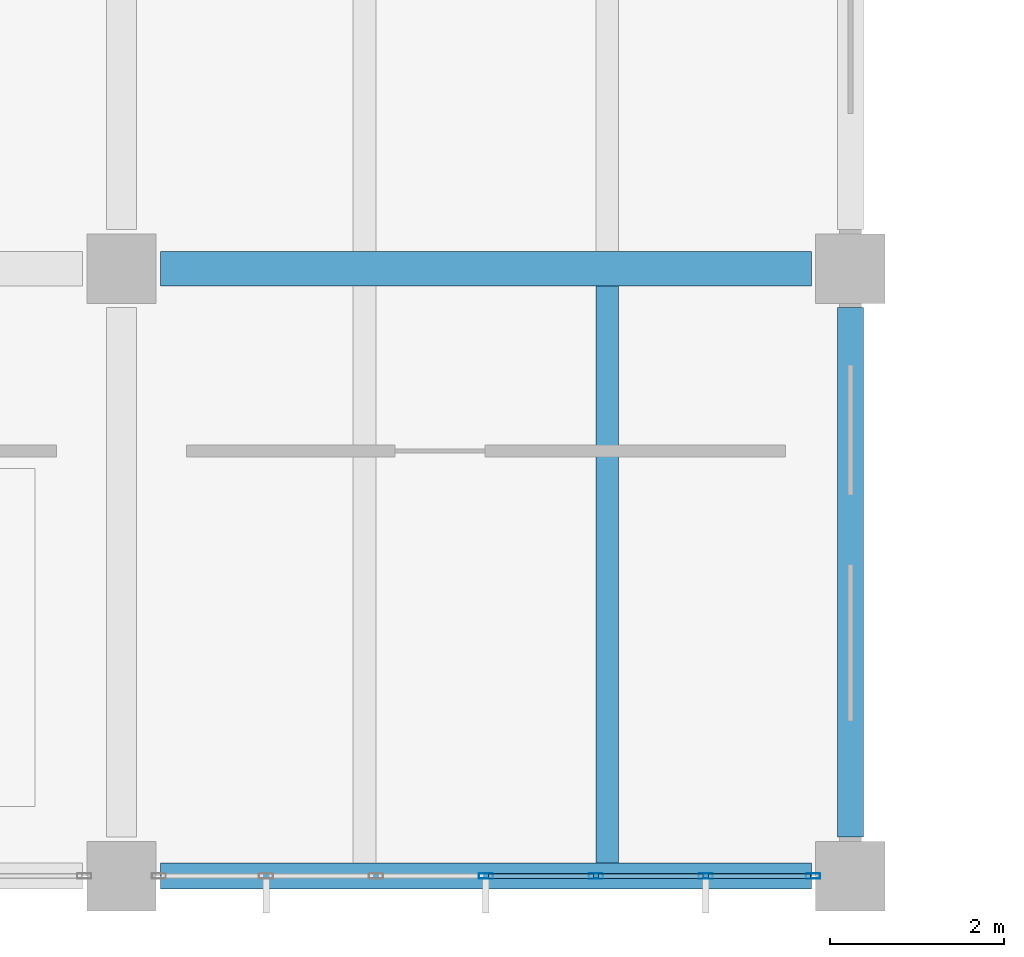
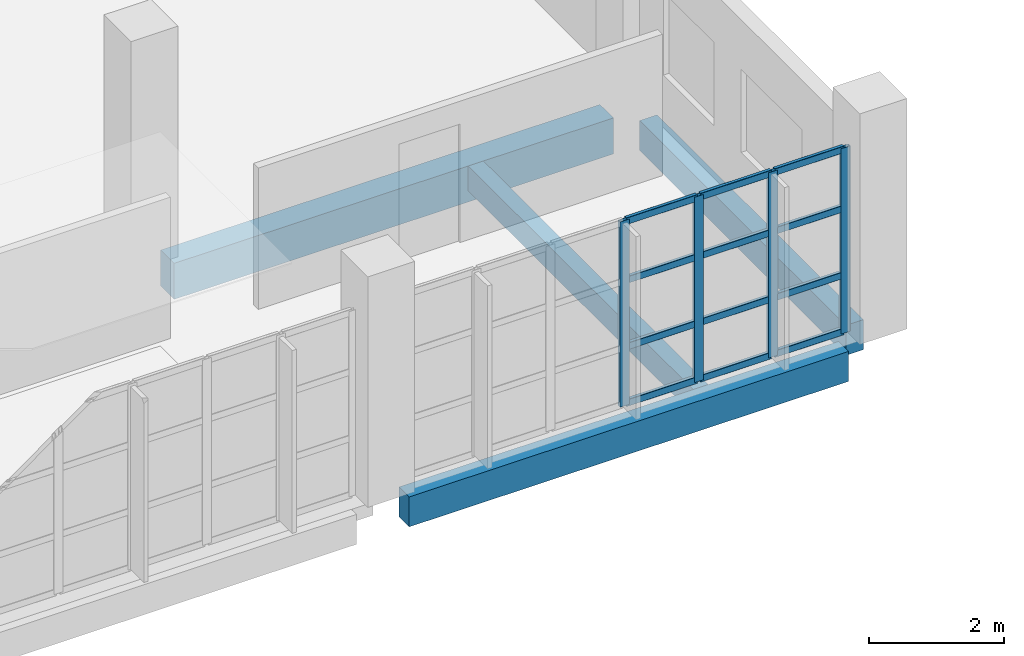
# One storey, part 43 of 177: 16 members, 4 beams, 1 element without a shape of its own.
"""IFC4 building model written with IfcOpenShell, lengths in metres."""

from ifc_helpers import new_model, si_unit, direction, frame, origin, origin_2d, place, context, subcontext, project, spatial, rectangle, hollow_rectangle, extrude, material, layer, layer_set, material_profile, profile_set, type_object, element, aggregate, save


model = new_model("IFC4")

# Units and contexts
model_context = context("Model", 3, precision=1e-05, world=origin(), true_north=direction((0.0, 1.0)))
body_context = subcontext(model_context, "Body", "Model", "MODEL_VIEW")
ifc_project = project(units=[si_unit("LENGTHUNIT", "METRE"), si_unit("AREAUNIT", "SQUARE_METRE"), si_unit("VOLUMEUNIT", "CUBIC_METRE"), si_unit("PLANEANGLEUNIT", "RADIAN"), si_unit("MASSUNIT", "GRAM", prefix="KILO"), si_unit("THERMODYNAMICTEMPERATUREUNIT", "KELVIN"), si_unit("POWERUNIT", "WATT")], contexts=[model_context])

# Site, building, storey
site_placement = place(None, origin())
site = spatial("IfcSite", under=ifc_project, at=site_placement, CompositionType="ELEMENT")
building_placement = place(site_placement, origin())
building = spatial("IfcBuilding", under=site, at=building_placement, Name="Mavoryth Pier Ferry Terminal", CompositionType="ELEMENT")
storey_placement = place(building_placement, frame((0.0, 0.0, 5.43994140625)))
storey = spatial("IfcBuildingStorey", under=building, at=storey_placement, Name="L01", CompositionType="ELEMENT", Elevation=5.43994140625)

# Beams
ifc_material_1 = material(Name="Concrete C35/45", Category="concrete")
ifc_material_profile_1 = material_profile(ifc_material_1, rectangle(XDim=0.39990234375, YDim=0.64990234375, at=origin_2d()), Name="RC 400x650", Category="concrete")
ifc_profile_set_1 = profile_set([ifc_material_profile_1], Name="Concrete C35/45 - RC 400x650")
beam_type_1 = type_object("IfcBeamType", Name="Girder-RC-400x650", PredefinedType="BEAM", material=ifc_profile_set_1)
beam_1_placement = place(storey_placement, frame((84.449951171875, 7.0, -0.5849609375), z_axis=(1.0, 0.0, 0.0), x_axis=(0.0, 1.0, 0.0)))
element("IfcBeam", 1, at=beam_1_placement, inside=storey, type_object=beam_type_1, Name="Beam B01-BG05-0521", PredefinedType="BEAM", context=body_context, shape_type="SweptSolid", body=[
    extrude(rectangle(XDim=0.39990234375, YDim=0.64990234375, at=origin_2d()), origin(), (0.0, 0.0, 1.0), 7.5),
])
ifc_material_profile_2 = material_profile(ifc_material_1, rectangle(XDim=0.260009765625, YDim=0.449951171875, at=origin_2d()), Name="RC 260x450", Category="concrete")
ifc_profile_set_2 = profile_set([ifc_material_profile_2], Name="Concrete C35/45 - RC 260x450")
beam_type_2 = type_object("IfcBeamType", Name="Joist-RC-260x450", PredefinedType="JOIST", material=ifc_profile_set_2)
beam_2_placement = place(storey_placement, frame((89.60009765625, 0.14990234375, -0.48486328125), z_axis=(0.0, 1.0, 0.0), x_axis=(-1.0, 0.0, 0.0)))
element("IfcBeam", 2, at=beam_2_placement, inside=storey, type_object=beam_type_2, Name="Beam B01-BJ03-0582", PredefinedType="JOIST", context=body_context, shape_type="SweptSolid", body=[
    extrude(rectangle(XDim=0.260009765625, YDim=0.449951171875, at=origin_2d()), origin(), (0.0, 0.0, 1.0), 6.650146484375),
])

# Curtain wall, members
ifc_material_2 = material(Name="Anodised Aluminium and Solar-Control Low-E Glass", Category="aluminium")
ifc_layer = layer(ifc_material_2, 0.239990234375, Name="Anodised Aluminium and Solar-Control Low-E Glass", Category="aluminium")
ifc_layer_set = layer_set([ifc_layer], Name="Anodised Aluminium and Solar-Control Low-E Glass - CW-Operations-Mod1200")
curtain_wall_type = type_object("IfcCurtainWallType", Name="CW-Operations-Mod1200", PredefinedType="USERDEFINED", material=ifc_layer_set)
curtain_wall_placement = place(storey_placement, origin())
curtain_wall = element("IfcCurtainWall", 3, at=curtain_wall_placement, inside=storey, type_object=curtain_wall_type, Name="Curtain Wall CW-0122-118", ObjectType="UNITISED CURTAIN WALL", PredefinedType="USERDEFINED")
ifc_material_3 = material(Name="Anodised Aluminium EN AW-6063", Category="aluminium")
ifc_material_profile_3 = material_profile(ifc_material_3, hollow_rectangle(XDim=0.06005859375, YDim=0.1650390625, WallThickness=0.00390625, InnerFilletRadius=0.00390625, OuterFilletRadius=0.008056640625, at=origin_2d()), Name="AL-MULL 165x60x4", Category="aluminium")
ifc_profile_set_3 = profile_set([ifc_material_profile_3], Name="Anodised Aluminium EN AW-6063 - AL-MULL 165x60x4")
member_type_1 = type_object("IfcMemberType", Name="Mullion-Alum-165x60", PredefinedType="MULLION", material=ifc_profile_set_3)
member_1_placement = place(storey_placement, frame((88.199951171875, 0.0, 0.0), z_axis=(0.0, 0.0, 1.0), x_axis=(0.0, 1.0, 0.0)))
member_1 = element("IfcMember", 4, at=member_1_placement, type_object=member_type_1, Name="CW06 mullion 4", PredefinedType="MULLION", context=body_context, shape_type="SweptSolid", body=[
    extrude(hollow_rectangle(XDim=0.06005859375, YDim=0.1650390625, WallThickness=0.00390625, InnerFilletRadius=0.00390625, OuterFilletRadius=0.008056640625, at=origin_2d()), origin(), (0.0, 0.0, 1.0), 3.344970703125),
])
member_2_placement = place(storey_placement, frame((89.466552734375, 0.0, 0.0), z_axis=(0.0, 0.0, 1.0), x_axis=(0.0, 1.0, 0.0)))
member_2 = element("IfcMember", 5, at=member_2_placement, type_object=member_type_1, Name="CW06 mullion 5", PredefinedType="MULLION", context=body_context, shape_type="SweptSolid", body=[
    extrude(hollow_rectangle(XDim=0.06005859375, YDim=0.1650390625, WallThickness=0.00390625, InnerFilletRadius=0.00390625, OuterFilletRadius=0.008056640625, at=origin_2d()), origin(), (0.0, 0.0, 1.0), 3.344970703125),
])
member_3_placement = place(storey_placement, frame((90.7333984375, 0.0, 0.0), z_axis=(0.0, 0.0, 1.0), x_axis=(0.0, 1.0, 0.0)))
member_3 = element("IfcMember", 6, at=member_3_placement, type_object=member_type_1, Name="CW06 mullion 6", PredefinedType="MULLION", context=body_context, shape_type="SweptSolid", body=[
    extrude(hollow_rectangle(XDim=0.06005859375, YDim=0.1650390625, WallThickness=0.00390625, InnerFilletRadius=0.00390625, OuterFilletRadius=0.008056640625, at=origin_2d()), origin(), (0.0, 0.0, 1.0), 3.344970703125),
])
member_4_placement = place(storey_placement, frame((91.969970703125, 0.0, 0.0), z_axis=(0.0, 0.0, 1.0), x_axis=(0.0, 1.0, 0.0)))
member_4 = element("IfcMember", 7, at=member_4_placement, type_object=member_type_1, Name="CW06 mullion 7", PredefinedType="MULLION", context=body_context, shape_type="SweptSolid", body=[
    extrude(hollow_rectangle(XDim=0.06005859375, YDim=0.1650390625, WallThickness=0.00390625, InnerFilletRadius=0.00390625, OuterFilletRadius=0.008056640625, at=origin_2d()), origin(), (0.0, 0.0, 1.0), 3.344970703125),
])

# Beams
ifc_material_profile_4 = material_profile(ifc_material_1, rectangle(XDim=0.300048828125, YDim=0.5400390625, at=origin_2d()), Name="RC 300x540", Category="concrete")
ifc_profile_set_4 = profile_set([ifc_material_profile_4], Name="Concrete C35/45 - RC 300x540")
beam_type_3 = type_object("IfcBeamType", Name="Spandrel-RC-300x540", PredefinedType="SPANDREL", material=ifc_profile_set_4)
beam_3_placement = place(storey_placement, frame((84.449951171875, 0.0, -0.530029296875), z_axis=(1.0, 0.0, 0.0), x_axis=(0.0, 1.0, 0.0)))
element("IfcBeam", 8, at=beam_3_placement, inside=storey, type_object=beam_type_3, Name="Beam B01-SP02-0515", PredefinedType="SPANDREL", context=body_context, shape_type="SweptSolid", body=[
    extrude(rectangle(XDim=0.300048828125, YDim=0.5400390625, at=origin_2d()), origin(), (0.0, 0.0, 1.0), 7.5),
])
beam_4_placement = place(storey_placement, frame((92.39990234375, 0.449951171875, -0.530029296875), z_axis=(0.0, 1.0, 0.0), x_axis=(-1.0, 0.0, 0.0)))
element("IfcBeam", 9, at=beam_4_placement, inside=storey, type_object=beam_type_3, Name="Beam B01-SP02-0552", PredefinedType="SPANDREL", context=body_context, shape_type="SweptSolid", body=[
    extrude(rectangle(XDim=0.300048828125, YDim=0.5400390625, at=origin_2d()), origin(), (0.0, 0.0, 1.0), 6.10009765625),
])

# Member
ifc_material_profile_5 = material_profile(ifc_material_3, hollow_rectangle(XDim=0.06005859375, YDim=0.125, WallThickness=0.00390625, InnerFilletRadius=0.00390625, OuterFilletRadius=0.008056640625, at=origin_2d()), Name="AL-TRAN 125x60x4", Category="aluminium")
ifc_profile_set_5 = profile_set([ifc_material_profile_5], Name="Anodised Aluminium EN AW-6063 - AL-TRAN 125x60x4")
member_type_2 = type_object("IfcMemberType", Name="Transom-Alum-125x60", PredefinedType="USERDEFINED", material=ifc_profile_set_5)
member_5_placement = place(storey_placement, frame((88.22998046875, 0.0, 0.030029296875), z_axis=(1.0, 0.0, 0.0), x_axis=(0.0, 1.0, 0.0)))
member_5 = element("IfcMember", 10, at=member_5_placement, type_object=member_type_2, Name="CW06 transom 4.1", ObjectType="TRANSOM", PredefinedType="USERDEFINED", context=body_context, shape_type="SweptSolid", body=[
    extrude(hollow_rectangle(XDim=0.06005859375, YDim=0.125, WallThickness=0.00390625, InnerFilletRadius=0.00390625, OuterFilletRadius=0.008056640625, at=origin_2d()), origin(), (0.0, 0.0, 1.0), 1.206787109375),
])

member_6_placement = place(storey_placement, frame((88.22998046875, 0.0, 1.050048828125), z_axis=(1.0, 0.0, 0.0), x_axis=(0.0, 1.0, 0.0)))
member_6 = element("IfcMember", 11, at=member_6_placement, type_object=member_type_2, Name="CW06 transom 4.2", ObjectType="TRANSOM", PredefinedType="USERDEFINED", context=body_context, shape_type="SweptSolid", body=[
    extrude(hollow_rectangle(XDim=0.06005859375, YDim=0.125, WallThickness=0.00390625, InnerFilletRadius=0.00390625, OuterFilletRadius=0.008056640625, at=origin_2d()), origin(), (0.0, 0.0, 1.0), 1.206787109375),
])

member_7_placement = place(storey_placement, frame((88.22998046875, 0.0, 2.25), z_axis=(1.0, 0.0, 0.0), x_axis=(0.0, 1.0, 0.0)))
member_7 = element("IfcMember", 12, at=member_7_placement, type_object=member_type_2, Name="CW06 transom 4.3", ObjectType="TRANSOM", PredefinedType="USERDEFINED", context=body_context, shape_type="SweptSolid", body=[
    extrude(hollow_rectangle(XDim=0.06005859375, YDim=0.125, WallThickness=0.00390625, InnerFilletRadius=0.00390625, OuterFilletRadius=0.008056640625, at=origin_2d()), origin(), (0.0, 0.0, 1.0), 1.206787109375),
])

member_8_placement = place(storey_placement, frame((88.22998046875, 0.0, 3.31494140625), z_axis=(1.0, 0.0, 0.0), x_axis=(0.0, 1.0, 0.0)))
member_8 = element("IfcMember", 13, at=member_8_placement, type_object=member_type_2, Name="CW06 transom 4.4", ObjectType="TRANSOM", PredefinedType="USERDEFINED", context=body_context, shape_type="SweptSolid", body=[
    extrude(hollow_rectangle(XDim=0.06005859375, YDim=0.125, WallThickness=0.00390625, InnerFilletRadius=0.00390625, OuterFilletRadius=0.008056640625, at=origin_2d()), origin(), (0.0, 0.0, 1.0), 1.206787109375),
])

member_9_placement = place(storey_placement, frame((89.49658203125, 0.0, 0.030029296875), z_axis=(1.0, 0.0, 0.0), x_axis=(0.0, 1.0, 0.0)))
member_9 = element("IfcMember", 14, at=member_9_placement, type_object=member_type_2, Name="CW06 transom 5.1", ObjectType="TRANSOM", PredefinedType="USERDEFINED", context=body_context, shape_type="SweptSolid", body=[
    extrude(hollow_rectangle(XDim=0.06005859375, YDim=0.125, WallThickness=0.00390625, InnerFilletRadius=0.00390625, OuterFilletRadius=0.008056640625, at=origin_2d()), origin(), (0.0, 0.0, 1.0), 1.206787109375),
])

member_10_placement = place(storey_placement, frame((89.49658203125, 0.0, 1.050048828125), z_axis=(1.0, 0.0, 0.0), x_axis=(0.0, 1.0, 0.0)))
member_10 = element("IfcMember", 15, at=member_10_placement, type_object=member_type_2, Name="CW06 transom 5.2", ObjectType="TRANSOM", PredefinedType="USERDEFINED", context=body_context, shape_type="SweptSolid", body=[
    extrude(hollow_rectangle(XDim=0.06005859375, YDim=0.125, WallThickness=0.00390625, InnerFilletRadius=0.00390625, OuterFilletRadius=0.008056640625, at=origin_2d()), origin(), (0.0, 0.0, 1.0), 1.206787109375),
])

member_11_placement = place(storey_placement, frame((89.49658203125, 0.0, 2.25), z_axis=(1.0, 0.0, 0.0), x_axis=(0.0, 1.0, 0.0)))
member_11 = element("IfcMember", 16, at=member_11_placement, type_object=member_type_2, Name="CW06 transom 5.3", ObjectType="TRANSOM", PredefinedType="USERDEFINED", context=body_context, shape_type="SweptSolid", body=[
    extrude(hollow_rectangle(XDim=0.06005859375, YDim=0.125, WallThickness=0.00390625, InnerFilletRadius=0.00390625, OuterFilletRadius=0.008056640625, at=origin_2d()), origin(), (0.0, 0.0, 1.0), 1.206787109375),
])

member_12_placement = place(storey_placement, frame((89.49658203125, 0.0, 3.31494140625), z_axis=(1.0, 0.0, 0.0), x_axis=(0.0, 1.0, 0.0)))
member_12 = element("IfcMember", 17, at=member_12_placement, type_object=member_type_2, Name="CW06 transom 5.4", ObjectType="TRANSOM", PredefinedType="USERDEFINED", context=body_context, shape_type="SweptSolid", body=[
    extrude(hollow_rectangle(XDim=0.06005859375, YDim=0.125, WallThickness=0.00390625, InnerFilletRadius=0.00390625, OuterFilletRadius=0.008056640625, at=origin_2d()), origin(), (0.0, 0.0, 1.0), 1.206787109375),
])

member_13_placement = place(storey_placement, frame((90.763427734375, 0.0, 0.030029296875), z_axis=(1.0, 0.0, 0.0), x_axis=(0.0, 1.0, 0.0)))
member_13 = element("IfcMember", 18, at=member_13_placement, type_object=member_type_2, Name="CW06 transom 6.1", ObjectType="TRANSOM", PredefinedType="USERDEFINED", context=body_context, shape_type="SweptSolid", body=[
    extrude(hollow_rectangle(XDim=0.06005859375, YDim=0.125, WallThickness=0.00390625, InnerFilletRadius=0.00390625, OuterFilletRadius=0.008056640625, at=origin_2d()), origin(), (0.0, 0.0, 1.0), 1.176513671875),
])

member_14_placement = place(storey_placement, frame((90.763427734375, 0.0, 1.050048828125), z_axis=(1.0, 0.0, 0.0), x_axis=(0.0, 1.0, 0.0)))
member_14 = element("IfcMember", 19, at=member_14_placement, type_object=member_type_2, Name="CW06 transom 6.2", ObjectType="TRANSOM", PredefinedType="USERDEFINED", context=body_context, shape_type="SweptSolid", body=[
    extrude(hollow_rectangle(XDim=0.06005859375, YDim=0.125, WallThickness=0.00390625, InnerFilletRadius=0.00390625, OuterFilletRadius=0.008056640625, at=origin_2d()), origin(), (0.0, 0.0, 1.0), 1.176513671875),
])

member_15_placement = place(storey_placement, frame((90.763427734375, 0.0, 2.25), z_axis=(1.0, 0.0, 0.0), x_axis=(0.0, 1.0, 0.0)))
member_15 = element("IfcMember", 20, at=member_15_placement, type_object=member_type_2, Name="CW06 transom 6.3", ObjectType="TRANSOM", PredefinedType="USERDEFINED", context=body_context, shape_type="SweptSolid", body=[
    extrude(hollow_rectangle(XDim=0.06005859375, YDim=0.125, WallThickness=0.00390625, InnerFilletRadius=0.00390625, OuterFilletRadius=0.008056640625, at=origin_2d()), origin(), (0.0, 0.0, 1.0), 1.176513671875),
])

member_16_placement = place(storey_placement, frame((90.763427734375, 0.0, 3.31494140625), z_axis=(1.0, 0.0, 0.0), x_axis=(0.0, 1.0, 0.0)))
member_16 = element("IfcMember", 21, at=member_16_placement, type_object=member_type_2, Name="CW06 transom 6.4", ObjectType="TRANSOM", PredefinedType="USERDEFINED", context=body_context, shape_type="SweptSolid", body=[
    extrude(hollow_rectangle(XDim=0.06005859375, YDim=0.125, WallThickness=0.00390625, InnerFilletRadius=0.00390625, OuterFilletRadius=0.008056640625, at=origin_2d()), origin(), (0.0, 0.0, 1.0), 1.176513671875),
])

aggregate(curtain_wall, [member_1, member_2, member_3, member_4, member_5, member_6, member_7, member_8, member_9, member_10, member_11, member_12, member_13, member_14, member_15, member_16])

save(model, "model.ifc")
